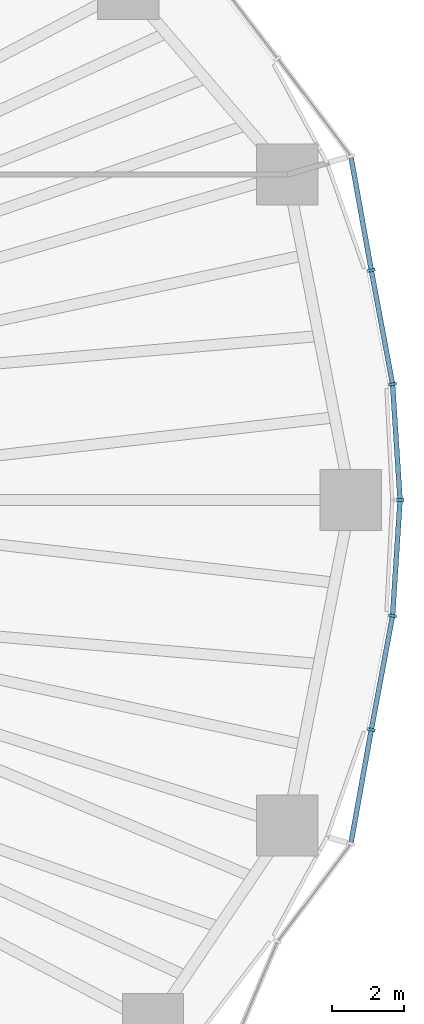
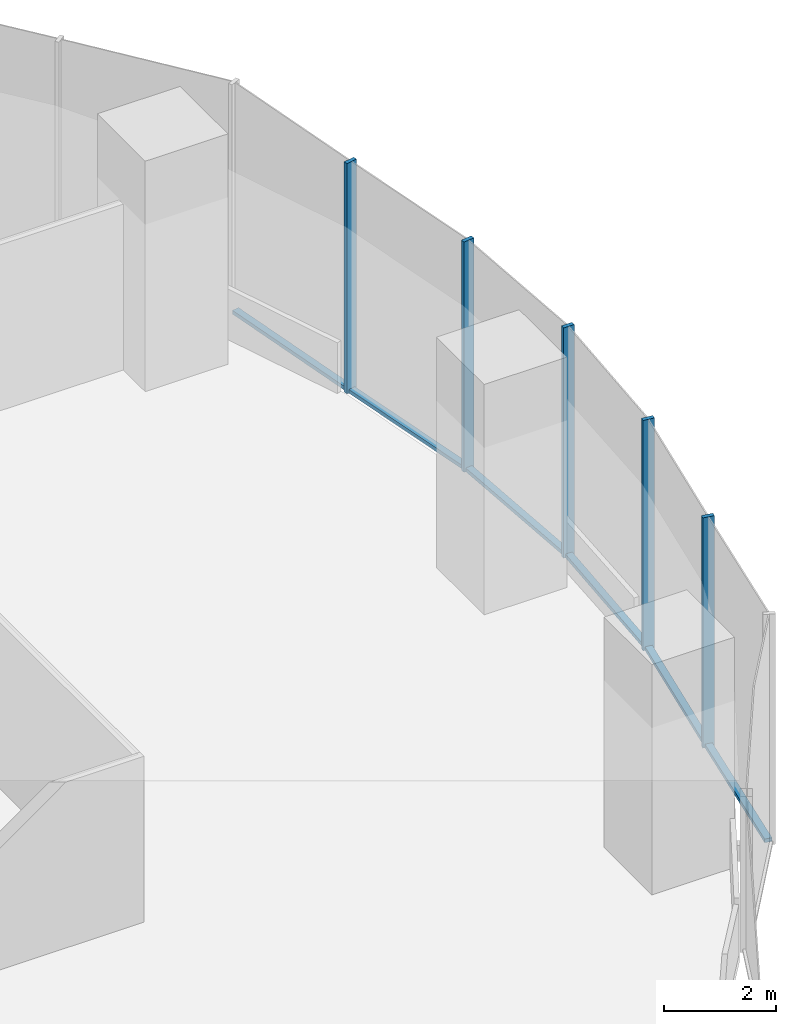
# One storey, part 7 of 19: 11 members, 2 elements without a shape of their own.
"""IFC4 building model written with IfcOpenShell, lengths in metres."""

from ifc_helpers import new_model, si_unit, direction, frame, origin, origin_2d, place, context, subcontext, project, spatial, rectangle, extrude, material, material_profile, profile_set, type_object, element, aggregate, save


model = new_model("IFC4")

# Units and contexts
model_context = context("Model", 3, precision=1e-05, world=origin(), true_north=direction((0.0, 1.0)))
body_context = subcontext(model_context, "Body", "Model", "MODEL_VIEW")
ifc_project = project(units=[si_unit("LENGTHUNIT", "METRE"), si_unit("AREAUNIT", "SQUARE_METRE"), si_unit("VOLUMEUNIT", "CUBIC_METRE"), si_unit("PLANEANGLEUNIT", "RADIAN"), si_unit("MASSUNIT", "GRAM", prefix="KILO")], contexts=[model_context])

# Site, building, storey
site_placement = place(None, origin())
site = spatial("IfcSite", under=ifc_project, at=site_placement, CompositionType="ELEMENT")
building_placement = place(site_placement, origin())
building = spatial("IfcBuilding", under=site, at=building_placement, Name="Ghaith Harvest Tower", CompositionType="ELEMENT")
storey_placement = place(building_placement, frame((0.0, 0.0, 70.0)))
storey = spatial("IfcBuildingStorey", under=building, at=storey_placement, Name="L14", CompositionType="ELEMENT", Elevation=70.0)

# Curtain wall, members
ifc_material_1 = material(Name="Black anodised aluminium and fritted glass", Category="aluminium")
curtain_wall_type = type_object("IfcCurtainWallType", Name="CW-F CURTAIN WALL", PredefinedType="NOTDEFINED", material=ifc_material_1)
curtain_wall_1_placement = place(storey_placement, origin())
curtain_wall_1 = element("IfcCurtainWall", 1, at=curtain_wall_1_placement, inside=storey, type_object=curtain_wall_type, Name="Curtain wall CW-F bay 01 L14", PredefinedType="NOTDEFINED")
ifc_material_2 = material(Name="Aluminium, black anodised", Category="aluminium")
ifc_material_profile_1 = material_profile(ifc_material_2, rectangle(XDim=0.080078125, YDim=0.219970703125, at=origin_2d()), Name="CW-F MULLION 80x220")
ifc_profile_set_1 = profile_set([ifc_material_profile_1], Name="Aluminium, black anodised")
member_type_1 = type_object("IfcMemberType", Name="CW-F MULLION 80x220", PredefinedType="MULLION", material=ifc_profile_set_1)
member_1_placement = place(storey_placement, frame((34.284912109375, 0.0, 0.0), z_axis=(0.0, 0.0, 1.0), x_axis=(1.05e-10, 1.0, 0.0)))
member_1 = element("IfcMember", 2, at=member_1_placement, type_object=member_type_1, Name="CW-F mullion 1 bay 01 L14", PredefinedType="MULLION", context=body_context, shape_type="SweptSolid", body=[
    extrude(rectangle(XDim=0.080078125, YDim=0.219970703125, at=origin_2d()), origin(), (0.0, 0.0, 1.0), 5.0),
])
member_2_placement = place(storey_placement, frame((34.077880859375, 3.205322265625, 0.0), z_axis=(0.0, 0.0, 1.0), x_axis=(-0.12416951168, 0.992261020281, 0.0)))
member_2 = element("IfcMember", 3, at=member_2_placement, type_object=member_type_1, Name="CW-F mullion 2 bay 01 L14", PredefinedType="MULLION", context=body_context, shape_type="SweptSolid", body=[
    extrude(rectangle(XDim=0.080078125, YDim=0.219970703125, at=origin_2d()), origin(), (0.0, 0.0, 1.0), 5.0),
])
member_3_placement = place(storey_placement, frame((33.489501953125, 6.3564453125, 0.0), z_axis=(0.0, 0.0, 1.0), x_axis=(-0.179943325455, 0.98367697931, 0.0)))
member_3 = element("IfcMember", 4, at=member_3_placement, type_object=member_type_1, Name="CW-F mullion 3 bay 01 L14", PredefinedType="MULLION", context=body_context, shape_type="SweptSolid", body=[
    extrude(rectangle(XDim=0.080078125, YDim=0.219970703125, at=origin_2d()), origin(), (0.0, 0.0, 1.0), 5.0),
])

curtain_wall_2_placement = place(storey_placement, origin())
curtain_wall_2 = element("IfcCurtainWall", 5, at=curtain_wall_2_placement, inside=storey, type_object=curtain_wall_type, Name="Curtain wall CW-F bay 20 L14", PredefinedType="NOTDEFINED")
member_4_placement = place(storey_placement, frame((33.489501953125, -6.3564453125, 0.0), z_axis=(0.0, 0.0, 1.0), x_axis=(0.17994332573, 0.98367697926, 0.0)))
member_4 = element("IfcMember", 6, at=member_4_placement, type_object=member_type_1, Name="CW-F mullion 2 bay 20 L14", PredefinedType="MULLION", context=body_context, shape_type="SweptSolid", body=[
    extrude(rectangle(XDim=0.080078125, YDim=0.219970703125, at=origin_2d()), origin(), (0.0, 0.0, 1.0), 5.0),
])
member_5_placement = place(storey_placement, frame((34.077880859375, -3.205322265625, 0.0), z_axis=(0.0, 0.0, 1.0), x_axis=(0.124169511819, 0.992261020264, 0.0)))
member_5 = element("IfcMember", 7, at=member_5_placement, type_object=member_type_1, Name="CW-F mullion 3 bay 20 L14", PredefinedType="MULLION", context=body_context, shape_type="SweptSolid", body=[
    extrude(rectangle(XDim=0.080078125, YDim=0.219970703125, at=origin_2d()), origin(), (0.0, 0.0, 1.0), 5.0),
])

# Member
ifc_material_3 = material(Name="Aluminium, black anodised", Category="aluminium")
ifc_material_profile_2 = material_profile(ifc_material_3, rectangle(XDim=0.139892578125, YDim=0.080078125, at=origin_2d()), Name="CW-F TRANSOM 140x80")
ifc_profile_set_2 = profile_set([ifc_material_profile_2], Name="Aluminium, black anodised")
member_type_2 = type_object("IfcMemberType", Name="CW-F TRANSOM 140x80", PredefinedType="USERDEFINED", material=ifc_profile_set_2)
member_6_placement = place(storey_placement, frame((34.282470703125, 0.039794921875, 0.0400390625), z_axis=(-0.064459898973, 0.997920298132, 0.0), x_axis=(-0.997920298132, -0.064459898973, 0.0)))
member_6 = element("IfcMember", 8, at=member_6_placement, type_object=member_type_2, Name="CW-F transom 1 bay 01 L14", ObjectType="TRANSOM", PredefinedType="USERDEFINED", context=body_context, shape_type="SweptSolid", body=[
    extrude(rectangle(XDim=0.139892578125, YDim=0.080078125, at=origin_2d()), origin(), (0.0, 0.0, 1.0), 3.13232421875),
])

member_7_placement = place(storey_placement, frame((34.070556640625, 3.24462890625, 0.0400390625), z_axis=(-0.183557496381, 0.983008975301, 0.0), x_axis=(-0.983008975301, -0.183557496381, 0.0)))
member_7 = element("IfcMember", 9, at=member_7_placement, type_object=member_type_2, Name="CW-F transom 2 bay 01 L14", ObjectType="TRANSOM", PredefinedType="USERDEFINED", context=body_context, shape_type="SweptSolid", body=[
    extrude(rectangle(XDim=0.139892578125, YDim=0.080078125, at=origin_2d()), origin(), (0.0, 0.0, 1.0), 3.125732421875),
])

member_8_placement = place(storey_placement, frame((33.482421875, 6.395751953125, 0.0400390625), z_axis=(-0.176303612865, 0.984335835013, 0.0), x_axis=(-0.984335835013, -0.176303612865, 0.0)))
member_8 = element("IfcMember", 10, at=member_8_placement, type_object=member_type_2, Name="CW-F transom 3 bay 01 L14", ObjectType="TRANSOM", PredefinedType="USERDEFINED", context=body_context, shape_type="SweptSolid", body=[
    extrude(rectangle(XDim=0.139892578125, YDim=0.080078125, at=origin_2d()), origin(), (0.0, 0.0, 1.0), 3.129638671875),
])

aggregate(curtain_wall_1, [member_1, member_6, member_2, member_7, member_3, member_8])

member_9_placement = place(storey_placement, frame((32.9306640625, -9.476318359375, 0.0400390625), z_axis=(0.176303612865, 0.984335835013, 0.0), x_axis=(-0.984335835013, 0.176303612865, 0.0)))
member_9 = element("IfcMember", 11, at=member_9_placement, type_object=member_type_2, Name="CW-F transom 1 bay 20 L14", ObjectType="TRANSOM", PredefinedType="USERDEFINED", context=body_context, shape_type="SweptSolid", body=[
    extrude(rectangle(XDim=0.139892578125, YDim=0.080078125, at=origin_2d()), origin(), (0.0, 0.0, 1.0), 3.129638671875),
])

member_10_placement = place(storey_placement, frame((33.496826171875, -6.317138671875, 0.0400390625), z_axis=(0.183557496381, 0.983008975301, 0.0), x_axis=(-0.983008975301, 0.183557496381, 0.0)))
member_10 = element("IfcMember", 12, at=member_10_placement, type_object=member_type_2, Name="CW-F transom 2 bay 20 L14", ObjectType="TRANSOM", PredefinedType="USERDEFINED", context=body_context, shape_type="SweptSolid", body=[
    extrude(rectangle(XDim=0.139892578125, YDim=0.080078125, at=origin_2d()), origin(), (0.0, 0.0, 1.0), 3.125732421875),
])

member_11_placement = place(storey_placement, frame((34.08056640625, -3.16552734375, 0.0400390625), z_axis=(0.064459898973, 0.997920298132, 0.0), x_axis=(-0.997920298132, 0.064459898973, 0.0)))
member_11 = element("IfcMember", 13, at=member_11_placement, type_object=member_type_2, Name="CW-F transom 3 bay 20 L14", ObjectType="TRANSOM", PredefinedType="USERDEFINED", context=body_context, shape_type="SweptSolid", body=[
    extrude(rectangle(XDim=0.139892578125, YDim=0.080078125, at=origin_2d()), origin(), (0.0, 0.0, 1.0), 3.13232421875),
])

aggregate(curtain_wall_2, [member_9, member_4, member_10, member_5, member_11])

save(model, "model.ifc")
